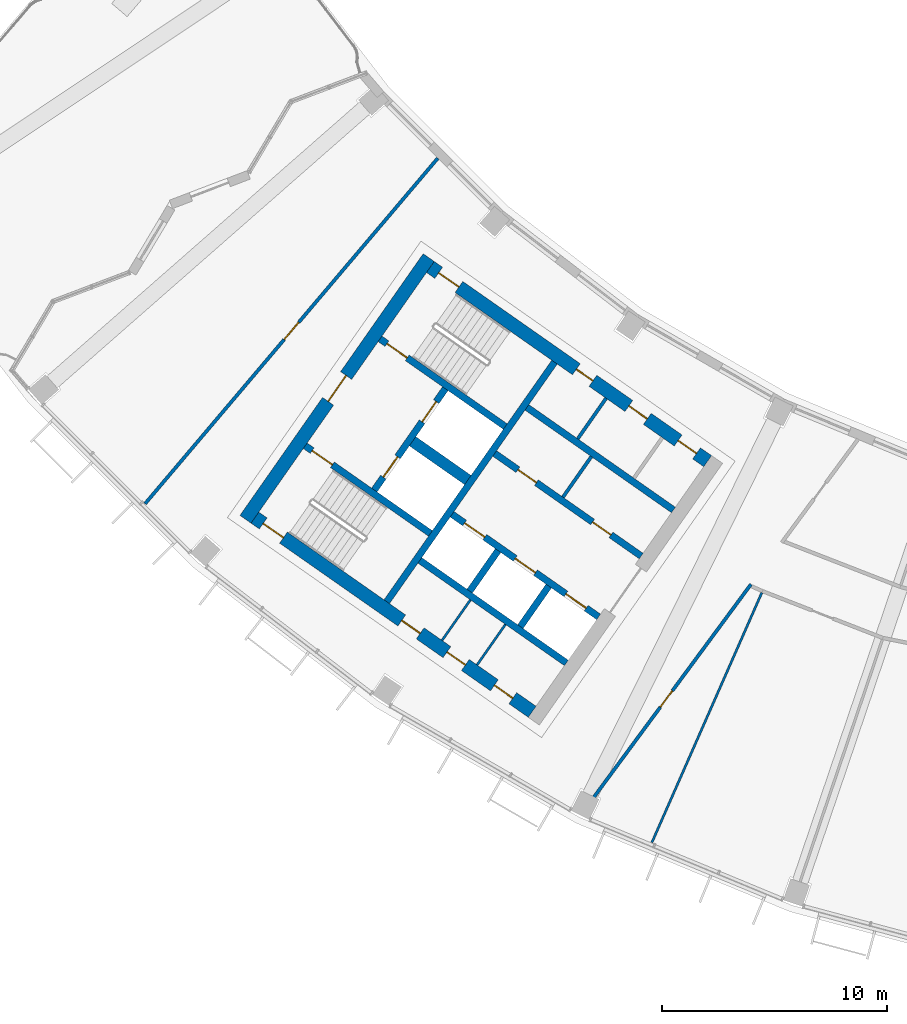
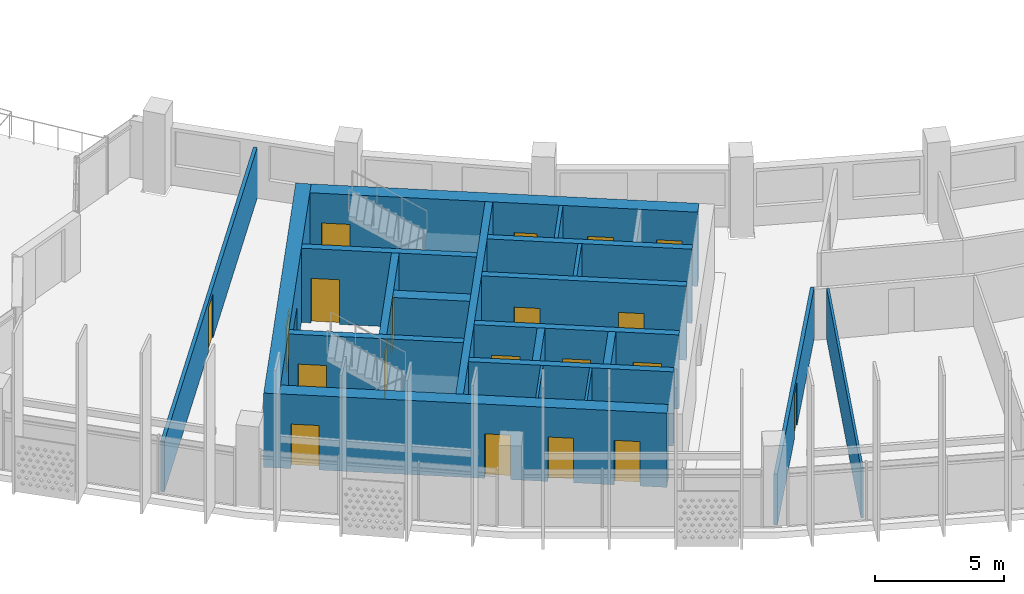
# One storey, part 2 of 29: 21 walls, 20 doors, 20 openings.
"""IFC4 building model written with IfcOpenShell, lengths in metres."""

from ifc_helpers import new_model, si_unit, direction, frame, frame_2d, origin, place, context, subcontext, project, spatial, rectangle, extrude, material, layer, layer_set, type_object, element, fill, save


model = new_model("IFC4")

# Units and contexts
model_context = context("Model", 3, precision=1e-05, world=origin(), true_north=direction((0.0, 1.0)))
body_context = subcontext(model_context, "Body", "Model", "MODEL_VIEW")
ifc_project = project(units=[si_unit("LENGTHUNIT", "METRE"), si_unit("AREAUNIT", "SQUARE_METRE"), si_unit("VOLUMEUNIT", "CUBIC_METRE"), si_unit("PLANEANGLEUNIT", "RADIAN"), si_unit("MASSUNIT", "GRAM", prefix="KILO")], contexts=[model_context])

# Site, building, storey
site_placement = place(None, origin())
site = spatial("IfcSite", under=ifc_project, at=site_placement, CompositionType="ELEMENT")
building_placement = place(site_placement, origin())
building = spatial("IfcBuilding", under=site, at=building_placement, Name="Qamariyya Broadcast Tower", CompositionType="ELEMENT")
storey_placement = place(building_placement, frame((0.0, 0.0, 258.10009765625)))
storey = spatial("IfcBuildingStorey", under=building, at=storey_placement, Name="L62", CompositionType="ELEMENT", Elevation=258.10009765625)

# Wall, opening, door
ifc_material_1 = material(Name="Concrete C60/75", Category="concrete")
ifc_layer_1 = layer(ifc_material_1, 0.60009765625)
ifc_layer_set_1 = layer_set([ifc_layer_1], Name="Core wall 600 mm Concrete C60/75")
wall_type_1 = type_object("IfcWallType", Name="Core wall 600 mm Concrete C60/75", PredefinedType="SHEAR", material=ifc_layer_set_1)
wall_1_placement = place(storey_placement, frame((-49.4833984375, -57.031494140625, 0.0), z_axis=(0.0, 0.0, 1.0), x_axis=(0.573560421458, 0.819163257805, 0.0)))
wall_1 = element("IfcWall", 1, at=wall_1_placement, inside=storey, type_object=wall_type_1, Name="k-W-L62-WH", PredefinedType="SHEAR", context=body_context, shape_type="SweptSolid", body=[
    extrude(rectangle(XDim=14.199951171875, YDim=0.60009765625, at=frame_2d((7.10009765625, 0.0))), origin(), (0.0, 0.0, 1.0), 3.5),
])
opening_1_placement = place(wall_1_placement, frame((6.39990234375, 0.0, 0.0)))
opening_1 = element("IfcOpeningElement", 2, at=opening_1_placement, cuts=wall_1, Name="Opening KD2-W1", PredefinedType="OPENING", context=body_context, shape_type="SweptSolid", body=[
    extrude(rectangle(XDim=1.39990234375, YDim=2.10009765625, at=frame_2d((0.699951171875, 1.050048828125))), frame((0.0, 0.31005859375, 0.0), z_axis=(0.0, -1.0, 0.0), x_axis=(1.0, 0.0, 0.0)), (0.0, 0.0, 1.0), 0.6201171875),
])
ifc_material_2 = material(Name="Steel fire-resisting door leaf", Category="steel")
door_type_1 = type_object("IfcDoorType", Name="Fire-fighting lobby door KD2", OperationType="DOUBLE_DOOR_SINGLE_SWING", PredefinedType="DOOR", material=ifc_material_2)
door_1_placement = place(opening_1_placement, origin())
door_1 = element("IfcDoor", 3, at=door_1_placement, inside=storey, type_object=door_type_1, Name="k-W-L62-WH-D15", OperationType="DOUBLE_DOOR_SINGLE_SWING", OverallHeight=2.10009765625, OverallWidth=1.39990234375, PredefinedType="DOOR", context=body_context, shape_type="SweptSolid", body=[
    extrude(rectangle(XDim=1.39990234375, YDim=2.10009765625, at=frame_2d((0.699951171875, 1.050048828125))), frame((0.0, 0.02490234375, 0.0), z_axis=(0.0, -1.0, 0.0), x_axis=(1.0, 0.0, 0.0)), (0.0, 0.0, 1.0), 0.050048828125),
])
fill(opening_1, door_1)

# Wall, openings, doors
wall_2_placement = place(storey_placement, frame((-28.940673828125, -54.447021484375, 0.0), z_axis=(0.0, 0.0, 1.0), x_axis=(-0.819153391756, 0.573574511963, 0.0)))
wall_2 = element("IfcWall", 4, at=wall_2_placement, inside=storey, type_object=wall_type_1, Name="k-W-L62-WI", PredefinedType="SHEAR", context=body_context, shape_type="SweptSolid", body=[
    extrude(rectangle(XDim=15.04541015625, YDim=0.60009765625, at=frame_2d((7.522705078125, 0.0))), origin(), (0.0, 0.0, 1.0), 3.5),
])
opening_2_placement = place(wall_2_placement, frame((0.60009765625, 0.0, 0.0)))
opening_2 = element("IfcOpeningElement", 5, at=opening_2_placement, cuts=wall_2, Name="Opening KD7-W1", PredefinedType="OPENING", context=body_context, shape_type="SweptSolid", body=[
    extrude(rectangle(XDim=1.0, YDim=2.10009765625, at=frame_2d((0.5, 1.050048828125))), frame((0.0, 0.31005859375, 0.0), z_axis=(0.0, -1.0, 0.0), x_axis=(1.0, 0.0, 0.0)), (0.0, 0.0, 1.0), 0.6201171875),
])
opening_3_placement = place(wall_2_placement, frame((3.27490234375, 0.0, 0.0)))
opening_3 = element("IfcOpeningElement", 6, at=opening_3_placement, cuts=wall_2, Name="Opening KD6-W3", PredefinedType="OPENING", context=body_context, shape_type="SweptSolid", body=[
    extrude(rectangle(XDim=1.0, YDim=2.10009765625, at=frame_2d((0.5, 1.050048828125))), frame((0.0, 0.31005859375, 0.0), z_axis=(0.0, -1.0, 0.0), x_axis=(1.0, 0.0, 0.0)), (0.0, 0.0, 1.0), 0.6201171875),
])
opening_4_placement = place(wall_2_placement, frame((6.22509765625, 0.0, 0.0)))
opening_4 = element("IfcOpeningElement", 7, at=opening_4_placement, cuts=wall_2, Name="Opening KD5-W1", PredefinedType="OPENING", context=body_context, shape_type="SweptSolid", body=[
    extrude(rectangle(XDim=0.89990234375, YDim=2.10009765625, at=frame_2d((0.449951171875, 1.050048828125))), frame((0.0, 0.31005859375, 0.0), z_axis=(0.0, -1.0, 0.0), x_axis=(1.0, 0.0, 0.0)), (0.0, 0.0, 1.0), 0.6201171875),
])
opening_5_placement = place(wall_2_placement, frame((13.495361328125, 0.0, 0.0)))
opening_5 = element("IfcOpeningElement", 8, at=opening_5_placement, cuts=wall_2, Name="Opening KD1-W1", PredefinedType="OPENING", context=body_context, shape_type="SweptSolid", body=[
    extrude(rectangle(XDim=1.10009765625, YDim=2.10009765625, at=frame_2d((0.550048828125, 1.050048828125))), frame((0.0, 0.31005859375, 0.0), z_axis=(0.0, -1.0, 0.0), x_axis=(1.0, 0.0, 0.0)), (0.0, 0.0, 1.0), 0.6201171875),
])
door_type_2 = type_object("IfcDoorType", Name="Accessible toilet door KD7", OperationType="SINGLE_SWING_LEFT", PredefinedType="DOOR", material=ifc_material_2)
door_2_placement = place(opening_2_placement, origin())
door_2 = element("IfcDoor", 9, at=door_2_placement, inside=storey, type_object=door_type_2, Name="k-W-L62-WI-D7", OperationType="SINGLE_SWING_RIGHT", OverallHeight=2.10009765625, OverallWidth=1.0, PredefinedType="DOOR", context=body_context, shape_type="SweptSolid", body=[
    extrude(rectangle(XDim=1.0, YDim=2.10009765625, at=frame_2d((0.5, 1.050048828125))), frame((0.0, 0.02490234375, 0.0), z_axis=(0.0, -1.0, 0.0), x_axis=(1.0, 0.0, 0.0)), (0.0, 0.0, 1.0), 0.050048828125),
])
fill(opening_2, door_2)
door_type_3 = type_object("IfcDoorType", Name="Core room door KD6", OperationType="SINGLE_SWING_LEFT", PredefinedType="DOOR", material=ifc_material_2)
door_3_placement = place(opening_3_placement, origin())
door_3 = element("IfcDoor", 10, at=door_3_placement, inside=storey, type_object=door_type_3, Name="k-W-L62-WI-D8", OperationType="SINGLE_SWING_LEFT", OverallHeight=2.10009765625, OverallWidth=1.0, PredefinedType="DOOR", context=body_context, shape_type="SweptSolid", body=[
    extrude(rectangle(XDim=1.0, YDim=2.10009765625, at=frame_2d((0.5, 1.050048828125))), frame((0.0, 0.02490234375, 0.0), z_axis=(0.0, -1.0, 0.0), x_axis=(1.0, 0.0, 0.0)), (0.0, 0.0, 1.0), 0.050048828125),
])
fill(opening_3, door_3)
door_type_4 = type_object("IfcDoorType", Name="Stair door KD1", OperationType="SINGLE_SWING_LEFT", PredefinedType="DOOR", material=ifc_material_2)
door_4_placement = place(opening_5_placement, origin())
door_4 = element("IfcDoor", 11, at=door_4_placement, inside=storey, type_object=door_type_4, Name="k-W-L62-WI-D16", OperationType="SINGLE_SWING_RIGHT", OverallHeight=2.10009765625, OverallWidth=1.10009765625, PredefinedType="DOOR", context=body_context, shape_type="SweptSolid", body=[
    extrude(rectangle(XDim=1.10009765625, YDim=2.10009765625, at=frame_2d((0.550048828125, 1.050048828125))), frame((0.0, 0.02490234375, 0.0), z_axis=(0.0, -1.0, 0.0), x_axis=(1.0, 0.0, 0.0)), (0.0, 0.0, 1.0), 0.050048828125),
])
fill(opening_5, door_4)
door_type_5 = type_object("IfcDoorType", Name="Toilet door KD5", OperationType="SINGLE_SWING_LEFT", PredefinedType="DOOR", material=ifc_material_2)
door_5_placement = place(opening_4_placement, origin())
door_5 = element("IfcDoor", 12, at=door_5_placement, inside=storey, type_object=door_type_5, Name="k-W-L62-WI-D9", OperationType="SINGLE_SWING_RIGHT", OverallHeight=2.10009765625, OverallWidth=0.89990234375, PredefinedType="DOOR", context=body_context, shape_type="SweptSolid", body=[
    extrude(rectangle(XDim=0.89990234375, YDim=2.10009765625, at=frame_2d((0.449951171875, 1.050048828125))), frame((0.0, 0.02490234375, 0.0), z_axis=(0.0, -1.0, 0.0), x_axis=(1.0, 0.0, 0.0)), (0.0, 0.0, 1.0), 0.050048828125),
])
fill(opening_4, door_5)

wall_3_placement = place(storey_placement, frame((-36.7412109375, -65.58740234375, 0.0), z_axis=(0.0, 0.0, 1.0), x_axis=(-0.819153391756, 0.573574511963, 0.0)))
wall_3 = element("IfcWall", 13, at=wall_3_placement, inside=storey, type_object=wall_type_1, Name="k-W-L62-WO", PredefinedType="SHEAR", context=body_context, shape_type="SweptSolid", body=[
    extrude(rectangle(XDim=15.04541015625, YDim=0.60009765625, at=frame_2d((7.522705078125, 0.0))), origin(), (0.0, 0.0, 1.0), 3.5),
])
opening_6_placement = place(wall_3_placement, frame((1.050048828125, 0.0, 0.0)))
opening_6 = element("IfcOpeningElement", 14, at=opening_6_placement, cuts=wall_3, Name="Opening KD4-W1", PredefinedType="OPENING", context=body_context, shape_type="SweptSolid", body=[
    extrude(rectangle(XDim=1.0, YDim=2.10009765625, at=frame_2d((0.5, 1.050048828125))), frame((0.0, 0.31005859375, 0.0), z_axis=(0.0, -1.0, 0.0), x_axis=(1.0, 0.0, 0.0)), (0.0, 0.0, 1.0), 0.6201171875),
])
opening_7_placement = place(wall_3_placement, frame((3.625, 0.0, 0.0)))
opening_7 = element("IfcOpeningElement", 15, at=opening_7_placement, cuts=wall_3, Name="Opening KD4-W2", PredefinedType="OPENING", context=body_context, shape_type="SweptSolid", body=[
    extrude(rectangle(XDim=1.0, YDim=2.10009765625, at=frame_2d((0.5, 1.050048828125))), frame((0.0, 0.31005859375, 0.0), z_axis=(0.0, -1.0, 0.0), x_axis=(1.0, 0.0, 0.0)), (0.0, 0.0, 1.0), 0.6201171875),
])
opening_8_placement = place(wall_3_placement, frame((6.074951171875, 0.0, 0.0)))
opening_8 = element("IfcOpeningElement", 16, at=opening_8_placement, cuts=wall_3, Name="Opening KD6-W4", PredefinedType="OPENING", context=body_context, shape_type="SweptSolid", body=[
    extrude(rectangle(XDim=1.0, YDim=2.10009765625, at=frame_2d((0.5, 1.050048828125))), frame((0.0, 0.31005859375, 0.0), z_axis=(0.0, -1.0, 0.0), x_axis=(1.0, 0.0, 0.0)), (0.0, 0.0, 1.0), 0.6201171875),
])
opening_9_placement = place(wall_3_placement, frame((13.495361328125, 0.0, 0.0)))
opening_9 = element("IfcOpeningElement", 17, at=opening_9_placement, cuts=wall_3, Name="Opening KD1-W3", PredefinedType="OPENING", context=body_context, shape_type="SweptSolid", body=[
    extrude(rectangle(XDim=1.10009765625, YDim=2.10009765625, at=frame_2d((0.550048828125, 1.050048828125))), frame((0.0, 0.31005859375, 0.0), z_axis=(0.0, -1.0, 0.0), x_axis=(1.0, 0.0, 0.0)), (0.0, 0.0, 1.0), 0.6201171875),
])
door_6_placement = place(opening_8_placement, origin())
door_6 = element("IfcDoor", 18, at=door_6_placement, inside=storey, type_object=door_type_3, Name="k-W-L62-WO-D12", OperationType="SINGLE_SWING_LEFT", OverallHeight=2.10009765625, OverallWidth=1.0, PredefinedType="DOOR", context=body_context, shape_type="SweptSolid", body=[
    extrude(rectangle(XDim=1.0, YDim=2.10009765625, at=frame_2d((0.5, 1.050048828125))), frame((0.0, 0.02490234375, 0.0), z_axis=(0.0, -1.0, 0.0), x_axis=(1.0, 0.0, 0.0)), (0.0, 0.0, 1.0), 0.050048828125),
])
fill(opening_8, door_6)
door_type_6 = type_object("IfcDoorType", Name="Riser and plant door KD4", OperationType="SINGLE_SWING_LEFT", PredefinedType="DOOR", material=ifc_material_2)
door_7_placement = place(opening_6_placement, origin())
door_7 = element("IfcDoor", 19, at=door_7_placement, inside=storey, type_object=door_type_6, Name="k-W-L62-WO-D10", OperationType="SINGLE_SWING_LEFT", OverallHeight=2.10009765625, OverallWidth=1.0, PredefinedType="DOOR", context=body_context, shape_type="SweptSolid", body=[
    extrude(rectangle(XDim=1.0, YDim=2.10009765625, at=frame_2d((0.5, 1.050048828125))), frame((0.0, 0.02490234375, 0.0), z_axis=(0.0, -1.0, 0.0), x_axis=(1.0, 0.0, 0.0)), (0.0, 0.0, 1.0), 0.050048828125),
])
fill(opening_6, door_7)
door_8_placement = place(opening_7_placement, origin())
door_8 = element("IfcDoor", 20, at=door_8_placement, inside=storey, type_object=door_type_6, Name="k-W-L62-WO-D11", OperationType="SINGLE_SWING_RIGHT", OverallHeight=2.10009765625, OverallWidth=1.0, PredefinedType="DOOR", context=body_context, shape_type="SweptSolid", body=[
    extrude(rectangle(XDim=1.0, YDim=2.10009765625, at=frame_2d((0.5, 1.050048828125))), frame((0.0, 0.02490234375, 0.0), z_axis=(0.0, -1.0, 0.0), x_axis=(1.0, 0.0, 0.0)), (0.0, 0.0, 1.0), 0.050048828125),
])
fill(opening_7, door_8)
door_9_placement = place(opening_9_placement, origin())
door_9 = element("IfcDoor", 21, at=door_9_placement, inside=storey, type_object=door_type_4, Name="k-W-L62-WO-D18", OperationType="SINGLE_SWING_LEFT", OverallHeight=2.10009765625, OverallWidth=1.10009765625, PredefinedType="DOOR", context=body_context, shape_type="SweptSolid", body=[
    extrude(rectangle(XDim=1.10009765625, YDim=2.10009765625, at=frame_2d((0.550048828125, 1.050048828125))), frame((0.0, 0.02490234375, 0.0), z_axis=(0.0, -1.0, 0.0), x_axis=(1.0, 0.0, 0.0)), (0.0, 0.0, 1.0), 0.050048828125),
])
fill(opening_9, door_9)

# Wall, opening, door
ifc_material_3 = material(Name="Gypsum board partition")
ifc_layer_2 = layer(ifc_material_3, 0.14990234375)
ifc_layer_set_2 = layer_set([ifc_layer_2], Name="Corridor partition 150 EI 60")
wall_type_2 = type_object("IfcWallType", Name="Corridor partition 150 EI 60", PredefinedType="PARTITIONING", material=ifc_layer_set_2)
wall_4_placement = place(storey_placement, frame((-53.946044921875, -56.33837890625, 0.0), z_axis=(0.0, 0.0, 1.0), x_axis=(0.646426079671, 0.76297662056, 0.0)))
wall_4 = element("IfcWall", 22, at=wall_4_placement, inside=storey, type_object=wall_type_2, Name="Partition L62-001", PredefinedType="PARTITIONING", context=body_context, shape_type="SweptSolid", body=[
    extrude(rectangle(XDim=20.1259765625, YDim=0.14990234375, at=frame_2d((10.06298828125, 0.0))), origin(), (0.0, 0.0, 1.0), 2.39990234375),
])
opening_10_placement = place(wall_4_placement, frame((9.56298828125, 0.0, 0.0)))
opening_10 = element("IfcOpeningElement", 23, at=opening_10_placement, cuts=wall_4, Name="Opening L62-D14", PredefinedType="OPENING", context=body_context, shape_type="SweptSolid", body=[
    extrude(rectangle(XDim=1.0, YDim=2.10009765625, at=frame_2d((0.5, 1.050048828125))), frame((0.0, 0.0849609375, 0.0), z_axis=(0.0, -1.0, 0.0), x_axis=(1.0, 0.0, 0.0)), (0.0, 0.0, 1.0), 0.169921875),
])
ifc_material_4 = material(Name="Timber fire door leaf", Category="wood")
door_type_7 = type_object("IfcDoorType", Name="Fire door 1000 x 2100 FD60", OperationType="NOTDEFINED", PredefinedType="DOOR", material=ifc_material_4)
door_10_placement = place(opening_10_placement, origin())
door_10 = element("IfcDoor", 24, at=door_10_placement, inside=storey, type_object=door_type_7, Name="Door L62-D14", OperationType="SINGLE_SWING_RIGHT", OverallHeight=2.10009765625, OverallWidth=1.0, PredefinedType="DOOR", context=body_context, shape_type="SweptSolid", body=[
    extrude(rectangle(XDim=1.0, YDim=2.10009765625, at=frame_2d((0.5, 1.050048828125))), frame((0.0, 0.02490234375, 0.0), z_axis=(0.0, -1.0, 0.0), x_axis=(1.0, 0.0, 0.0)), (0.0, 0.0, 1.0), 0.050048828125),
])
fill(opening_10, door_10)

wall_5_placement = place(storey_placement, frame((-27.012939453125, -59.919189453125, 0.0), z_axis=(0.0, 0.0, 1.0), x_axis=(-0.593869528805, -0.804561360467, 0.0)))
wall_5 = element("IfcWall", 25, at=wall_5_placement, inside=storey, type_object=wall_type_2, Name="Partition L62-003", PredefinedType="PARTITIONING", context=body_context, shape_type="SweptSolid", body=[
    extrude(rectangle(XDim=12.665283203125, YDim=0.14990234375, at=frame_2d((6.33251953125, 0.0))), origin(), (0.0, 0.0, 1.0), 2.39990234375),
])
opening_11_placement = place(wall_5_placement, frame((5.882568359375, 0.0, 0.0)))
opening_11 = element("IfcOpeningElement", 26, at=opening_11_placement, cuts=wall_5, Name="Opening L62-D01", PredefinedType="OPENING", context=body_context, shape_type="SweptSolid", body=[
    extrude(rectangle(XDim=0.89990234375, YDim=2.10009765625, at=frame_2d((0.449951171875, 1.050048828125))), frame((0.0, 0.0849609375, 0.0), z_axis=(0.0, -1.0, 0.0), x_axis=(1.0, 0.0, 0.0)), (0.0, 0.0, 1.0), 0.169921875),
])
door_type_8 = type_object("IfcDoorType", Name="Fire door 900 x 2100 FD60", OperationType="NOTDEFINED", PredefinedType="DOOR", material=ifc_material_4)
door_11_placement = place(opening_11_placement, origin())
door_11 = element("IfcDoor", 27, at=door_11_placement, inside=storey, type_object=door_type_8, Name="Door L62-D01", OperationType="SINGLE_SWING_RIGHT", OverallHeight=2.10009765625, OverallWidth=0.89990234375, PredefinedType="DOOR", context=body_context, shape_type="SweptSolid", body=[
    extrude(rectangle(XDim=0.89990234375, YDim=2.10009765625, at=frame_2d((0.449951171875, 1.050048828125))), frame((0.0, 0.02490234375, 0.0), z_axis=(0.0, -1.0, 0.0), x_axis=(1.0, 0.0, 0.0)), (0.0, 0.0, 1.0), 0.050048828125),
])
fill(opening_11, door_11)

# Walls
ifc_layer_3 = layer(ifc_material_1, 0.5)
ifc_layer_set_3 = layer_set([ifc_layer_3], Name="Fire-fighting lobby divider wall 500 mm Concrete C60/75")
wall_type_3 = type_object("IfcWallType", Name="Fire-fighting lobby divider wall 500 mm Concrete C60/75", PredefinedType="SOLIDWALL", material=ifc_layer_set_3)
wall_6_placement = place(storey_placement, frame((-39.59912109375, -55.28515625, 0.0), z_axis=(0.0, 0.0, 1.0), x_axis=(-0.819136323161, 0.573598887793, 0.0)))
element("IfcWall", 28, at=wall_6_placement, inside=storey, type_object=wall_type_3, Name="k-W-L62-FD", PredefinedType="SOLIDWALL", context=body_context, shape_type="SweptSolid", body=[
    extrude(rectangle(XDim=2.999755859375, YDim=0.5, at=frame_2d((1.5, 0.0))), origin(), (0.0, 0.0, 1.0), 3.5),
])
ifc_material_5 = material(Name="Gypsum board partition on steel studs", Category="steel")
ifc_layer_4 = layer(ifc_material_5, 0.14990234375)
ifc_layer_set_4 = layer_set([ifc_layer_4], Name="Gypsum board partition 150 mm")
wall_type_4 = type_object("IfcWallType", Name="Gypsum board partition 150 mm", PredefinedType="PARTITIONING", material=ifc_layer_set_4)
wall_7_placement = place(storey_placement, frame((-35.371826171875, -56.047607421875, 0.0), z_axis=(0.0, 0.0, 1.0), x_axis=(0.573559170999, 0.819164133348, 0.0)))
element("IfcWall", 29, at=wall_7_placement, inside=storey, type_object=wall_type_4, Name="k-W-L62-NC435", PredefinedType="PARTITIONING", context=body_context, shape_type="SweptSolid", body=[
    extrude(rectangle(XDim=2.19970703125, YDim=0.14990234375, at=frame_2d((1.099853515625, 0.0))), origin(), (0.0, 0.0, 1.0), 3.5),
])
wall_8_placement = place(storey_placement, frame((-34.716064453125, -53.454833984375, 0.0), z_axis=(0.0, 0.0, 1.0), x_axis=(0.573507030513, 0.819200638399, 0.0)))
element("IfcWall", 30, at=wall_8_placement, inside=storey, type_object=wall_type_4, Name="k-W-L62-NP530", PredefinedType="PARTITIONING", context=body_context, shape_type="SweptSolid", body=[
    extrude(rectangle(XDim=2.199951171875, YDim=0.14990234375, at=frame_2d((1.10009765625, 0.0))), origin(), (0.0, 0.0, 1.0), 3.5),
])
ifc_layer_5 = layer(ifc_material_1, 0.300048828125)
ifc_layer_set_5 = layer_set([ifc_layer_5], Name="Lift shaft wall 300 mm Concrete C60/75")
wall_type_5 = type_object("IfcWallType", Name="Lift shaft wall 300 mm Concrete C60/75", PredefinedType="SOLIDWALL", material=ifc_layer_set_5)
wall_9_placement = place(storey_placement, frame((-43.204345703125, -60.69580078125, 0.0), z_axis=(0.0, 0.0, 1.0), x_axis=(0.573571992966, 0.819155155563, 0.0)))
element("IfcWall", 31, at=wall_9_placement, inside=storey, type_object=wall_type_5, Name="k-W-L62-WL", PredefinedType="SOLIDWALL", context=body_context, shape_type="SweptSolid", body=[
    extrude(rectangle(XDim=13.000244140625, YDim=0.300048828125, at=frame_2d((6.5, 0.0))), origin(), (0.0, 0.0, 1.0), 3.5),
])

# Wall, openings, doors
wall_10_placement = place(storey_placement, frame((-31.89453125, -58.66552734375, 0.0), z_axis=(0.0, 0.0, 1.0), x_axis=(-0.819166993208, 0.573555086491, 0.0)))
wall_10 = element("IfcWall", 32, at=wall_10_placement, inside=storey, type_object=wall_type_5, Name="k-W-L62-NF0", PredefinedType="SOLIDWALL", context=body_context, shape_type="SweptSolid", body=[
    extrude(rectangle(XDim=7.9501953125, YDim=0.300048828125, at=frame_2d((3.97509765625, 0.0))), origin(), (0.0, 0.0, 1.0), 3.5),
])
opening_12_placement = place(wall_10_placement, frame((1.637451171875, 0.0, 0.0)))
opening_12 = element("IfcOpeningElement", 33, at=opening_12_placement, cuts=wall_10, Name="Opening KD6-W1", PredefinedType="OPENING", context=body_context, shape_type="SweptSolid", body=[
    extrude(rectangle(XDim=1.0, YDim=2.10009765625, at=frame_2d((0.5, 1.050048828125))), frame((0.0, 0.159912109375, 0.0), z_axis=(0.0, -1.0, 0.0), x_axis=(1.0, 0.0, 0.0)), (0.0, 0.0, 1.0), 0.320068359375),
])
opening_13_placement = place(wall_10_placement, frame((5.6875, 0.0, 0.0)))
opening_13 = element("IfcOpeningElement", 34, at=opening_13_placement, cuts=wall_10, Name="Opening KD6-W2", PredefinedType="OPENING", context=body_context, shape_type="SweptSolid", body=[
    extrude(rectangle(XDim=1.0, YDim=2.10009765625, at=frame_2d((0.5, 1.050048828125))), frame((0.0, 0.159912109375, 0.0), z_axis=(0.0, -1.0, 0.0), x_axis=(1.0, 0.0, 0.0)), (0.0, 0.0, 1.0), 0.320068359375),
])
door_12_placement = place(opening_12_placement, origin())
door_12 = element("IfcDoor", 35, at=door_12_placement, inside=storey, type_object=door_type_3, Name="k-W-L62-NF0-D2", OperationType="SINGLE_SWING_LEFT", OverallHeight=2.10009765625, OverallWidth=1.0, PredefinedType="DOOR", context=body_context, shape_type="SweptSolid", body=[
    extrude(rectangle(XDim=1.0, YDim=2.10009765625, at=frame_2d((0.5, 1.050048828125))), frame((0.0, 0.02490234375, 0.0), z_axis=(0.0, -1.0, 0.0), x_axis=(1.0, 0.0, 0.0)), (0.0, 0.0, 1.0), 0.050048828125),
])
fill(opening_12, door_12)
door_13_placement = place(opening_13_placement, origin())
door_13 = element("IfcDoor", 36, at=door_13_placement, inside=storey, type_object=door_type_3, Name="k-W-L62-NF0-D3", OperationType="SINGLE_SWING_RIGHT", OverallHeight=2.10009765625, OverallWidth=1.0, PredefinedType="DOOR", context=body_context, shape_type="SweptSolid", body=[
    extrude(rectangle(XDim=1.0, YDim=2.10009765625, at=frame_2d((0.5, 1.050048828125))), frame((0.0, 0.02490234375, 0.0), z_axis=(0.0, -1.0, 0.0), x_axis=(1.0, 0.0, 0.0)), (0.0, 0.0, 1.0), 0.050048828125),
])
fill(opening_13, door_13)

# Wall
wall_11_placement = place(storey_placement, frame((-30.460693359375, -56.61767578125, 0.0), z_axis=(0.0, 0.0, 1.0), x_axis=(-0.819142461705, 0.573590121456, 0.0)))
element("IfcWall", 37, at=wall_11_placement, inside=storey, type_object=wall_type_5, Name="k-W-L62-NB0", PredefinedType="SOLIDWALL", context=body_context, shape_type="SweptSolid", body=[
    extrude(rectangle(XDim=7.949951171875, YDim=0.300048828125, at=frame_2d((3.97509765625, 0.0))), origin(), (0.0, 0.0, 1.0), 3.5),
])

# Wall, openings, doors
wall_12_placement = place(storey_placement, frame((-33.787353515625, -61.368896484375, 0.0), z_axis=(0.0, 0.0, 1.0), x_axis=(-0.819152564888, 0.573575692858, 0.0)))
wall_12 = element("IfcWall", 38, at=wall_12_placement, inside=storey, type_object=wall_type_5, Name="k-W-L62-SF0", PredefinedType="SOLIDWALL", context=body_context, shape_type="SweptSolid", body=[
    extrude(rectangle(XDim=7.9501953125, YDim=0.300048828125, at=frame_2d((3.97509765625, 0.0))), origin(), (0.0, 0.0, 1.0), 3.5),
])
opening_14_placement = place(wall_12_placement, frame((0.675048828125, 0.0, 0.0)))
opening_14 = element("IfcOpeningElement", 39, at=opening_14_placement, cuts=wall_12, Name="Opening LD", PredefinedType="OPENING", context=body_context, shape_type="SweptSolid", body=[
    extrude(rectangle(XDim=1.10009765625, YDim=2.10009765625, at=frame_2d((0.550048828125, 1.050048828125))), frame((0.0, 0.159912109375, 0.0), z_axis=(0.0, -1.0, 0.0), x_axis=(1.0, 0.0, 0.0)), (0.0, 0.0, 1.0), 0.320068359375),
])
opening_15_placement = place(wall_12_placement, frame((3.425048828125, 0.0, 0.0)))
opening_15 = element("IfcOpeningElement", 40, at=opening_15_placement, cuts=wall_12, Name="Opening LD", PredefinedType="OPENING", context=body_context, shape_type="SweptSolid", body=[
    extrude(rectangle(XDim=1.10009765625, YDim=2.10009765625, at=frame_2d((0.550048828125, 1.050048828125))), frame((0.0, 0.159912109375, 0.0), z_axis=(0.0, -1.0, 0.0), x_axis=(1.0, 0.0, 0.0)), (0.0, 0.0, 1.0), 0.320068359375),
])
opening_16_placement = place(wall_12_placement, frame((6.175048828125, 0.0, 0.0)))
opening_16 = element("IfcOpeningElement", 41, at=opening_16_placement, cuts=wall_12, Name="Opening LD", PredefinedType="OPENING", context=body_context, shape_type="SweptSolid", body=[
    extrude(rectangle(XDim=1.10009765625, YDim=2.10009765625, at=frame_2d((0.550048828125, 1.050048828125))), frame((0.0, 0.159912109375, 0.0), z_axis=(0.0, -1.0, 0.0), x_axis=(1.0, 0.0, 0.0)), (0.0, 0.0, 1.0), 0.320068359375),
])
door_type_9 = type_object("IfcDoorType", Name="Lift landing door LD", OperationType="DOUBLE_DOOR_SLIDING", PredefinedType="DOOR", material=ifc_material_2)
door_14_placement = place(opening_14_placement, origin())
door_14 = element("IfcDoor", 42, at=door_14_placement, inside=storey, type_object=door_type_9, Name="k-W-L62-SF0-D4", OperationType="DOUBLE_DOOR_SLIDING", OverallHeight=2.10009765625, OverallWidth=1.10009765625, PredefinedType="DOOR", context=body_context, shape_type="SweptSolid", body=[
    extrude(rectangle(XDim=1.10009765625, YDim=2.10009765625, at=frame_2d((0.550048828125, 1.050048828125))), frame((0.0, 0.02490234375, 0.0), z_axis=(0.0, -1.0, 0.0), x_axis=(1.0, 0.0, 0.0)), (0.0, 0.0, 1.0), 0.050048828125),
])
fill(opening_14, door_14)
door_15_placement = place(opening_15_placement, origin())
door_15 = element("IfcDoor", 43, at=door_15_placement, inside=storey, type_object=door_type_9, Name="k-W-L62-SF0-D5", OperationType="DOUBLE_DOOR_SLIDING", OverallHeight=2.10009765625, OverallWidth=1.10009765625, PredefinedType="DOOR", context=body_context, shape_type="SweptSolid", body=[
    extrude(rectangle(XDim=1.10009765625, YDim=2.10009765625, at=frame_2d((0.550048828125, 1.050048828125))), frame((0.0, 0.02490234375, 0.0), z_axis=(0.0, -1.0, 0.0), x_axis=(1.0, 0.0, 0.0)), (0.0, 0.0, 1.0), 0.050048828125),
])
fill(opening_15, door_15)
door_16_placement = place(opening_16_placement, origin())
door_16 = element("IfcDoor", 44, at=door_16_placement, inside=storey, type_object=door_type_9, Name="k-W-L62-SF0-D6", OperationType="DOUBLE_DOOR_SLIDING", OverallHeight=2.10009765625, OverallWidth=1.10009765625, PredefinedType="DOOR", context=body_context, shape_type="SweptSolid", body=[
    extrude(rectangle(XDim=1.10009765625, YDim=2.10009765625, at=frame_2d((0.550048828125, 1.050048828125))), frame((0.0, 0.02490234375, 0.0), z_axis=(0.0, -1.0, 0.0), x_axis=(1.0, 0.0, 0.0)), (0.0, 0.0, 1.0), 0.050048828125),
])
fill(opening_16, door_16)

# Walls
wall_13_placement = place(storey_placement, frame((-35.22119140625, -63.41650390625, 0.0), z_axis=(0.0, 0.0, 1.0), x_axis=(-0.819166993208, 0.573555086491, 0.0)))
element("IfcWall", 45, at=wall_13_placement, inside=storey, type_object=wall_type_5, Name="k-W-L62-SB0", PredefinedType="SOLIDWALL", context=body_context, shape_type="SweptSolid", body=[
    extrude(rectangle(XDim=7.9501953125, YDim=0.300048828125, at=frame_2d((3.97509765625, 0.0))), origin(), (0.0, 0.0, 1.0), 3.5),
])
wall_14_placement = place(storey_placement, frame((-36.003173828125, -60.000244140625, 0.0), z_axis=(0.0, 0.0, 1.0), x_axis=(-0.573581496053, -0.819148501424, 0.0)))
element("IfcWall", 46, at=wall_14_placement, inside=storey, type_object=wall_type_5, Name="k-W-L62-SD0", PredefinedType="SOLIDWALL", context=body_context, shape_type="SweptSolid", body=[
    extrude(rectangle(XDim=2.2001953125, YDim=0.300048828125, at=frame_2d((1.10009765625, 0.0))), origin(), (0.0, 0.0, 1.0), 3.5),
])
wall_15_placement = place(storey_placement, frame((-38.255859375, -58.423095703125, 0.0), z_axis=(0.0, 0.0, 1.0), x_axis=(-0.573633636671, -0.819111989218, 0.0)))
element("IfcWall", 47, at=wall_15_placement, inside=storey, type_object=wall_type_5, Name="k-W-L62-SD1", PredefinedType="SOLIDWALL", context=body_context, shape_type="SweptSolid", body=[
    extrude(rectangle(XDim=2.199951171875, YDim=0.300048828125, at=frame_2d((1.10009765625, 0.0))), origin(), (0.0, 0.0, 1.0), 3.5),
])

# Wall, opening, door
wall_16_placement = place(storey_placement, frame((-37.935546875, -52.90966796875, 0.0), z_axis=(0.0, 0.0, 1.0), x_axis=(-0.819147518138, 0.57358290031, 0.0)))
wall_16 = element("IfcWall", 48, at=wall_16_placement, inside=storey, type_object=wall_type_5, Name="k-W-L62-NW", PredefinedType="SOLIDWALL", context=body_context, shape_type="SweptSolid", body=[
    extrude(rectangle(XDim=6.79541015625, YDim=0.300048828125, at=frame_2d((3.397705078125, 0.0))), origin(), (0.0, 0.0, 1.0), 3.5),
])
opening_17_placement = place(wall_16_placement, frame((5.3203125, 0.0, 0.0)))
opening_17 = element("IfcOpeningElement", 49, at=opening_17_placement, cuts=wall_16, Name="Opening KD1-W2", PredefinedType="OPENING", context=body_context, shape_type="SweptSolid", body=[
    extrude(rectangle(XDim=1.10009765625, YDim=2.10009765625, at=frame_2d((0.550048828125, 1.050048828125))), frame((0.0, 0.159912109375, 0.0), z_axis=(0.0, -1.0, 0.0), x_axis=(1.0, 0.0, 0.0)), (0.0, 0.0, 1.0), 0.320068359375),
])
door_17_placement = place(opening_17_placement, origin())
door_17 = element("IfcDoor", 50, at=door_17_placement, inside=storey, type_object=door_type_4, Name="k-W-L62-NW-D17", OperationType="SINGLE_SWING_RIGHT", OverallHeight=2.10009765625, OverallWidth=1.10009765625, PredefinedType="DOOR", context=body_context, shape_type="SweptSolid", body=[
    extrude(rectangle(XDim=1.10009765625, YDim=2.10009765625, at=frame_2d((0.550048828125, 1.050048828125))), frame((0.0, 0.02490234375, 0.0), z_axis=(0.0, -1.0, 0.0), x_axis=(1.0, 0.0, 0.0)), (0.0, 0.0, 1.0), 0.050048828125),
])
fill(opening_17, door_17)

wall_17_placement = place(storey_placement, frame((-41.262451171875, -57.66064453125, 0.0), z_axis=(0.0, 0.0, 1.0), x_axis=(-0.819164398642, 0.573558792102, 0.0)))
wall_17 = element("IfcWall", 51, at=wall_17_placement, inside=storey, type_object=wall_type_5, Name="k-W-L62-SW", PredefinedType="SOLIDWALL", context=body_context, shape_type="SweptSolid", body=[
    extrude(rectangle(XDim=6.795166015625, YDim=0.300048828125, at=frame_2d((3.3974609375, 0.0))), origin(), (0.0, 0.0, 1.0), 3.5),
])
opening_18_placement = place(wall_17_placement, frame((5.3203125, 0.0, 0.0)))
opening_18 = element("IfcOpeningElement", 52, at=opening_18_placement, cuts=wall_17, Name="Opening KD1-W4", PredefinedType="OPENING", context=body_context, shape_type="SweptSolid", body=[
    extrude(rectangle(XDim=1.10009765625, YDim=2.10009765625, at=frame_2d((0.550048828125, 1.050048828125))), frame((0.0, 0.159912109375, 0.0), z_axis=(0.0, -1.0, 0.0), x_axis=(1.0, 0.0, 0.0)), (0.0, 0.0, 1.0), 0.320068359375),
])
door_18_placement = place(opening_18_placement, origin())
door_18 = element("IfcDoor", 53, at=door_18_placement, inside=storey, type_object=door_type_4, Name="k-W-L62-SW-D19", OperationType="SINGLE_SWING_RIGHT", OverallHeight=2.10009765625, OverallWidth=1.10009765625, PredefinedType="DOOR", context=body_context, shape_type="SweptSolid", body=[
    extrude(rectangle(XDim=1.10009765625, YDim=2.10009765625, at=frame_2d((0.550048828125, 1.050048828125))), frame((0.0, 0.02490234375, 0.0), z_axis=(0.0, -1.0, 0.0), x_axis=(1.0, 0.0, 0.0)), (0.0, 0.0, 1.0), 0.050048828125),
])
fill(opening_18, door_18)

# Wall, openings, doors
wall_18_placement = place(storey_placement, frame((-43.756591796875, -55.731201171875, 0.0), z_axis=(0.0, 0.0, 1.0), x_axis=(0.573536818435, 0.819179783625, 0.0)))
wall_18 = element("IfcWall", 54, at=wall_18_placement, inside=storey, type_object=wall_type_5, Name="k-W-L62-FF", PredefinedType="SOLIDWALL", context=body_context, shape_type="SweptSolid", body=[
    extrude(rectangle(XDim=5.500244140625, YDim=0.300048828125, at=frame_2d((2.75, 0.0))), origin(), (0.0, 0.0, 1.0), 3.5),
])
opening_19_placement = place(wall_18_placement, frame((0.699951171875, 0.0, 0.0)))
opening_19 = element("IfcOpeningElement", 55, at=opening_19_placement, cuts=wall_18, Name="Opening LD", PredefinedType="OPENING", context=body_context, shape_type="SweptSolid", body=[
    extrude(rectangle(XDim=1.10009765625, YDim=2.10009765625, at=frame_2d((0.550048828125, 1.050048828125))), frame((0.0, 0.159912109375, 0.0), z_axis=(0.0, -1.0, 0.0), x_axis=(1.0, 0.0, 0.0)), (0.0, 0.0, 1.0), 0.320068359375),
])
opening_20_placement = place(wall_18_placement, frame((3.699951171875, 0.0, 0.0)))
opening_20 = element("IfcOpeningElement", 56, at=opening_20_placement, cuts=wall_18, Name="Opening LD", PredefinedType="OPENING", context=body_context, shape_type="SweptSolid", body=[
    extrude(rectangle(XDim=1.10009765625, YDim=2.10009765625, at=frame_2d((0.550048828125, 1.050048828125))), frame((0.0, 0.159912109375, 0.0), z_axis=(0.0, -1.0, 0.0), x_axis=(1.0, 0.0, 0.0)), (0.0, 0.0, 1.0), 0.320068359375),
])
door_19_placement = place(opening_19_placement, origin())
door_19 = element("IfcDoor", 57, at=door_19_placement, inside=storey, type_object=door_type_9, Name="k-W-L62-FF-D13", OperationType="DOUBLE_DOOR_SLIDING", OverallHeight=2.10009765625, OverallWidth=1.10009765625, PredefinedType="DOOR", context=body_context, shape_type="SweptSolid", body=[
    extrude(rectangle(XDim=1.10009765625, YDim=2.10009765625, at=frame_2d((0.550048828125, 1.050048828125))), frame((0.0, 0.02490234375, 0.0), z_axis=(0.0, -1.0, 0.0), x_axis=(1.0, 0.0, 0.0)), (0.0, 0.0, 1.0), 0.050048828125),
])
fill(opening_19, door_19)
door_20_placement = place(opening_20_placement, origin())
door_20 = element("IfcDoor", 58, at=door_20_placement, inside=storey, type_object=door_type_9, Name="k-W-L62-FF-D14", OperationType="DOUBLE_DOOR_SLIDING", OverallHeight=2.10009765625, OverallWidth=1.10009765625, PredefinedType="DOOR", context=body_context, shape_type="SweptSolid", body=[
    extrude(rectangle(XDim=1.10009765625, YDim=2.10009765625, at=frame_2d((0.550048828125, 1.050048828125))), frame((0.0, 0.02490234375, 0.0), z_axis=(0.0, -1.0, 0.0), x_axis=(1.0, 0.0, 0.0)), (0.0, 0.0, 1.0), 0.050048828125),
])
fill(opening_20, door_20)

# Walls
ifc_layer_6 = layer(ifc_material_3, 0.10009765625)
ifc_layer_set_6 = layer_set([ifc_layer_6], Name="Partition 100")
wall_type_6 = type_object("IfcWallType", Name="Partition 100", PredefinedType="PARTITIONING", material=ifc_layer_set_6)
wall_19_placement = place(storey_placement, frame((-31.41650390625, -71.394287109375, 0.0), z_axis=(0.0, 0.0, 1.0), x_axis=(0.402758181285, 0.915306422685, 0.0)))
element("IfcWall", 59, at=wall_19_placement, inside=storey, type_object=wall_type_6, Name="Partition L62-002", PredefinedType="PARTITIONING", context=body_context, shape_type="SweptSolid", body=[
    extrude(rectangle(XDim=12.1259765625, YDim=0.10009765625, at=frame_2d((6.06298828125, 0.0))), origin(), (0.0, 0.0, 1.0), 2.39990234375),
])
ifc_material_6 = material(Name="Fire-rated gypsum shaft liner on steel studs", Category="steel")
ifc_layer_7 = layer(ifc_material_6, 0.10009765625)
ifc_layer_set_7 = layer_set([ifc_layer_7], Name="Riser wall 100 mm")
wall_type_7 = type_object("IfcWallType", Name="Riser wall 100 mm", PredefinedType="PLUMBINGWALL", material=ifc_layer_set_7)
wall_20_placement = place(storey_placement, frame((-37.9287109375, -61.7041015625, 0.0), z_axis=(0.0, 0.0, 1.0), x_axis=(-0.573559170999, -0.819164133348, 0.0)))
element("IfcWall", 60, at=wall_20_placement, inside=storey, type_object=wall_type_7, Name="k-W-L62-SP320", PredefinedType="PLUMBINGWALL", context=body_context, shape_type="SweptSolid", body=[
    extrude(rectangle(XDim=2.19970703125, YDim=0.10009765625, at=frame_2d((1.099853515625, 0.0))), origin(), (0.0, 0.0, 1.0), 3.5),
])
wall_21_placement = place(storey_placement, frame((-39.485107421875, -60.6142578125, 0.0), z_axis=(0.0, 0.0, 1.0), x_axis=(-0.573507030513, -0.819200638399, 0.0)))
element("IfcWall", 61, at=wall_21_placement, inside=storey, type_object=wall_type_7, Name="k-W-L62-SP510", PredefinedType="PLUMBINGWALL", context=body_context, shape_type="SweptSolid", body=[
    extrude(rectangle(XDim=2.199951171875, YDim=0.10009765625, at=frame_2d((1.10009765625, 0.0))), origin(), (0.0, 0.0, 1.0), 3.5),
])

save(model, "model.ifc")
